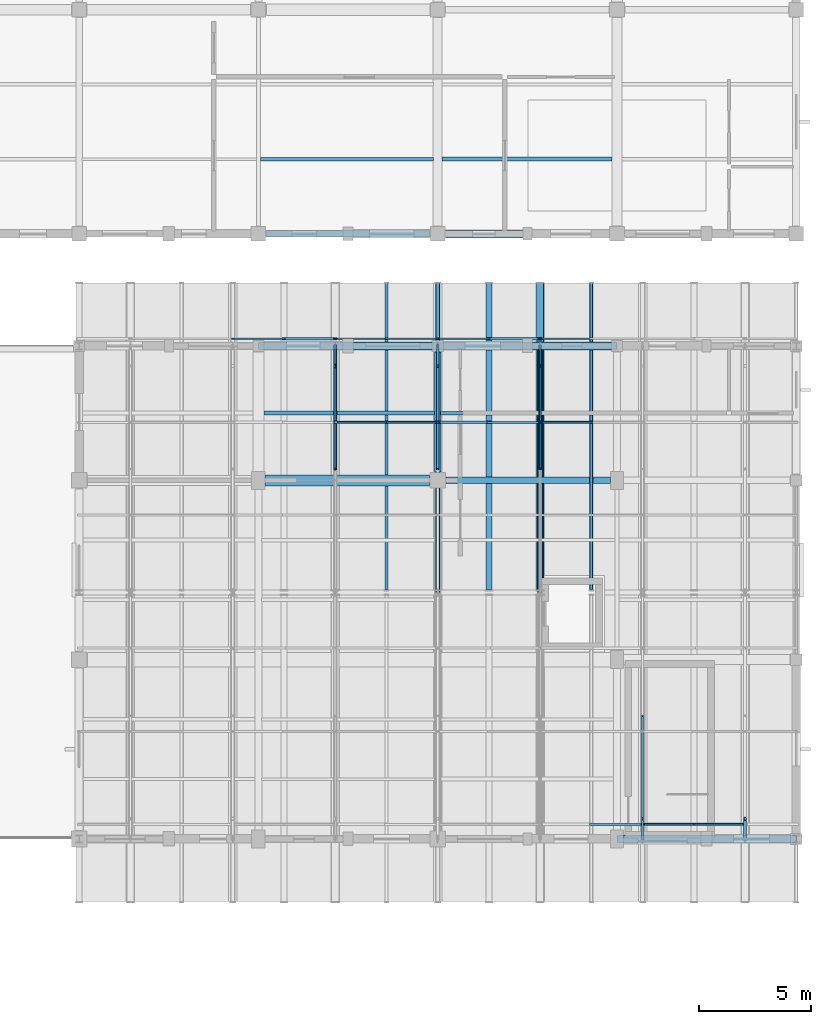
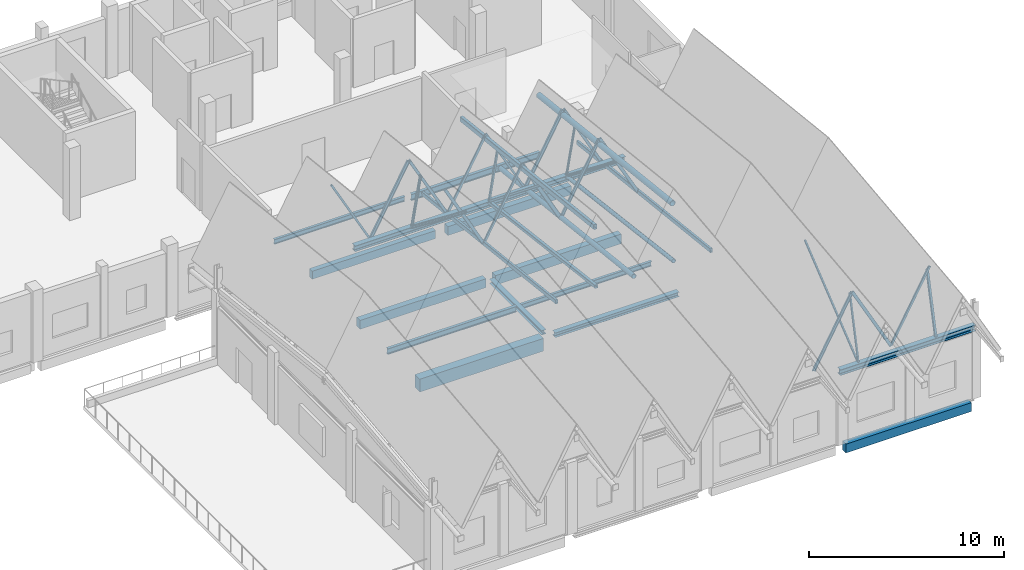
# One storey, part 20 of 48: 26 members, 20 beams.
"""IFC4 building model written with IfcOpenShell, lengths in metres."""

from ifc_helpers import new_model, si_unit, direction, frame, origin, origin_2d, place, context, subcontext, project, spatial, rectangle, hollow_rectangle, hollow_circle, i_section, extrude, material, material_profile, profile_set, type_object, element, save


model = new_model("IFC4")

# Units and contexts
model_context = context("Model", 3, precision=1e-05, world=origin(), true_north=direction((0.0, 1.0)))
body_context = subcontext(model_context, "Body", "Model", "MODEL_VIEW")
ifc_project = project(units=[si_unit("LENGTHUNIT", "METRE"), si_unit("AREAUNIT", "SQUARE_METRE"), si_unit("VOLUMEUNIT", "CUBIC_METRE"), si_unit("PLANEANGLEUNIT", "RADIAN"), si_unit("MASSUNIT", "GRAM", prefix="KILO")], contexts=[model_context])

# Site, building, storey
site_placement = place(None, origin())
site = spatial("IfcSite", under=ifc_project, at=site_placement, CompositionType="ELEMENT")
building_placement = place(site_placement, origin())
building = spatial("IfcBuilding", under=site, at=building_placement, Name="Luwemba Playhouse", CompositionType="ELEMENT")
storey_placement = place(building_placement, frame((0.0, 0.0, 13.800048828125)))
storey = spatial("IfcBuildingStorey", under=building, at=storey_placement, Name="L03", CompositionType="ELEMENT", Elevation=13.800048828125)

# Beams
ifc_material_1 = material(Name="Concrete C40/50", Category="concrete")
ifc_material_profile_1 = material_profile(ifc_material_1, rectangle(XDim=0.5, YDim=0.800048828125, at=origin_2d()))
ifc_profile_set_1 = profile_set([ifc_material_profile_1], Name="Concrete C40/50")
beam_type_1 = type_object("IfcBeamType", Name="BM-RB06", PredefinedType="BEAM", material=ifc_profile_set_1)
beam_1_placement = place(storey_placement, frame((148.300048828125, 84.0, -0.630126953125), z_axis=(1.0, 0.0, 0.0), x_axis=(0.0, 1.0, 0.0)))
element("IfcBeam", 1, at=beam_1_placement, inside=storey, type_object=beam_type_1, Name="L03 grid girder 0865", PredefinedType="BEAM", context=body_context, shape_type="SweptSolid", body=[
    extrude(rectangle(XDim=0.5, YDim=0.800048828125, at=origin_2d()), origin(), (0.0, 0.0, 1.0), 7.324951171875),
])
ifc_material_2 = material(Name="Steel S355", Category="steel")
ifc_material_profile_2 = material_profile(ifc_material_2, hollow_rectangle(XDim=0.14990234375, YDim=0.25, WallThickness=0.010009765625, InnerFilletRadius=0.014892578125, OuterFilletRadius=0.02490234375, at=origin_2d()))
ifc_profile_set_2 = profile_set([ifc_material_profile_2], Name="Steel S355")
beam_type_2 = type_object("IfcBeamType", Name="BM-RTG1", PredefinedType="USERDEFINED", material=ifc_profile_set_2)
for number, where, z_axis, x_axis, name in (
    (2, (153.71435546875, 79.110107421875, 5.536376953125), (0.0, 0.993769306798, -0.111456560446), (-1.0, 0.0, 0.0), "ROOF TRUSS valley girder 0225"),
    (3, (162.857177734375, 79.110107421875, 5.536376953125), (0.0, 0.99376734367, -0.111474062697), (-1.0, 0.0, 0.0), "ROOF TRUSS valley girder 0233"),
):
    element("IfcBeam", number, at=place(storey_placement, frame(where, z_axis=z_axis, x_axis=x_axis)), inside=storey, type_object=beam_type_2, Name=name, ObjectType="ROOF TRUSS", PredefinedType="USERDEFINED", context=body_context, shape_type="SweptSolid", body=[
        extrude(hollow_rectangle(XDim=0.14990234375, YDim=0.25, WallThickness=0.010009765625, InnerFilletRadius=0.014892578125, OuterFilletRadius=0.02490234375, at=origin_2d()), origin(), (0.0, 0.0, 1.0), 13.77587890625),
    ])
ifc_material_profile_3 = material_profile(ifc_material_2, hollow_rectangle(XDim=0.199951171875, YDim=0.300048828125, WallThickness=0.012451171875, InnerFilletRadius=0.018798828125, OuterFilletRadius=0.03125, at=origin_2d()))
ifc_profile_set_3 = profile_set([ifc_material_profile_3], Name="Steel S355")
beam_type_3 = type_object("IfcBeamType", Name="BM-RTG2", PredefinedType="USERDEFINED", material=ifc_profile_set_3)
beam_2_placement = place(storey_placement, frame((156.0, 79.110107421875, 9.412353515625), z_axis=(0.0, 0.993769306798, -0.111456560446), x_axis=(-1.0, 0.0, 0.0)))
element("IfcBeam", 4, at=beam_2_placement, inside=storey, type_object=beam_type_3, Name="ROOF TRUSS ridge girder 0227", ObjectType="ROOF TRUSS", PredefinedType="USERDEFINED", context=body_context, shape_type="SweptSolid", body=[
    extrude(hollow_rectangle(XDim=0.199951171875, YDim=0.300048828125, WallThickness=0.012451171875, InnerFilletRadius=0.018798828125, OuterFilletRadius=0.03125, at=origin_2d()), origin(), (0.0, 0.0, 1.0), 13.77587890625),
])
ifc_material_profile_4 = material_profile(ifc_material_2, hollow_circle(Radius=0.136474609375, WallThickness=0.012451171875, at=origin_2d()))
ifc_profile_set_4 = profile_set([ifc_material_profile_4], Name="Steel S355")
beam_type_4 = type_object("IfcBeamType", Name="BM-RTG3", PredefinedType="USERDEFINED", material=ifc_profile_set_4)
beam_3_placement = place(storey_placement, frame((158.28564453125, 79.110107421875, 5.52490234375), z_axis=(0.0, 0.99376734367, -0.111474062697), x_axis=(-1.0, 0.0, 0.0)))
element("IfcBeam", 5, at=beam_3_placement, inside=storey, type_object=beam_type_4, Name="ROOF TRUSS valley girder 0229", ObjectType="ROOF TRUSS", PredefinedType="USERDEFINED", context=body_context, shape_type="SweptSolid", body=[
    extrude(hollow_circle(Radius=0.136474609375, WallThickness=0.012451171875, at=origin_2d()), origin(), (0.0, 0.0, 1.0), 13.77587890625),
])
ifc_material_profile_5 = material_profile(ifc_material_2, hollow_circle(Radius=0.161865234375, WallThickness=0.01611328125, at=origin_2d()))
ifc_profile_set_5 = profile_set([ifc_material_profile_5], Name="Steel S355")
beam_type_5 = type_object("IfcBeamType", Name="BM-RTG4", PredefinedType="USERDEFINED", material=ifc_profile_set_5)
beam_4_placement = place(storey_placement, frame((160.5712890625, 79.110107421875, 9.28759765625), z_axis=(0.0, 0.993769306798, -0.111456560446), x_axis=(-1.0, 0.0, 0.0)))
element("IfcBeam", 6, at=beam_4_placement, inside=storey, type_object=beam_type_5, Name="ROOF TRUSS ridge girder 0231", ObjectType="ROOF TRUSS", PredefinedType="USERDEFINED", context=body_context, shape_type="SweptSolid", body=[
    extrude(hollow_circle(Radius=0.161865234375, WallThickness=0.01611328125, at=origin_2d()), origin(), (0.0, 0.0, 1.0), 13.77587890625),
])
ifc_material_profile_6 = material_profile(ifc_material_2, i_section(OverallWidth=0.280029296875, OverallDepth=0.27001953125, WebThickness=0.008056640625, FlangeThickness=0.012939453125, FilletRadius=0.02392578125, at=origin_2d()))
ifc_profile_set_6 = profile_set([ifc_material_profile_6], Name="Steel S355")
beam_type_6 = type_object("IfcBeamType", Name="BM-SB02", PredefinedType="BEAM", material=ifc_profile_set_6)
beam_5_placement = place(storey_placement, frame((156.0, 84.375, -0.364990234375), z_axis=(0.0, 1.0, 0.0), x_axis=(-1.0, 0.0, 0.0)))
element("IfcBeam", 7, at=beam_5_placement, inside=storey, type_object=beam_type_6, Name="L03 transverse girder 0878", PredefinedType="BEAM", context=body_context, shape_type="SweptSolid", body=[
    extrude(i_section(OverallWidth=0.280029296875, OverallDepth=0.27001953125, WebThickness=0.008056640625, FlangeThickness=0.012939453125, FilletRadius=0.02392578125, at=origin_2d()), origin(), (0.0, 0.0, 1.0), 5.35009765625),
])
ifc_material_profile_7 = material_profile(ifc_material_2, i_section(OverallWidth=0.300048828125, OverallDepth=0.2900390625, WebThickness=0.008544921875, FlangeThickness=0.013916015625, FilletRadius=0.027099609375, at=origin_2d()))
ifc_profile_set_7 = profile_set([ifc_material_profile_7], Name="Steel S355")
beam_type_7 = type_object("IfcBeamType", Name="BM-SB03", PredefinedType="BEAM", material=ifc_profile_set_7)
beam_6_placement = place(storey_placement, frame((156.375, 84.0, -0.375), z_axis=(1.0, 0.0, 0.0), x_axis=(0.0, 1.0, 0.0)))
element("IfcBeam", 8, at=beam_6_placement, inside=storey, type_object=beam_type_7, Name="L03 grid girder 0866", PredefinedType="BEAM", context=body_context, shape_type="SweptSolid", body=[
    extrude(i_section(OverallWidth=0.300048828125, OverallDepth=0.2900390625, WebThickness=0.008544921875, FlangeThickness=0.013916015625, FilletRadius=0.027099609375, at=origin_2d()), origin(), (0.0, 0.0, 1.0), 7.324951171875),
])
ifc_material_profile_8 = material_profile(ifc_material_2, i_section(OverallWidth=0.300048828125, OverallDepth=0.360107421875, WebThickness=0.012451171875, FlangeThickness=0.0224609375, FilletRadius=0.027099609375, at=origin_2d()))
ifc_profile_set_8 = profile_set([ifc_material_profile_8], Name="Steel S355")
beam_type_8 = type_object("IfcBeamType", Name="BM-SB09", PredefinedType="BEAM", material=ifc_profile_set_8)
for number, where, z_axis, x_axis, name in (
    (9, (164.0, 68.0, 4.320068359375), (1.0, 0.0, 0.0), (0.0, 1.0, 0.0), "RF-V4 eave ring beam 0198"),
    (10, (148.0, 90.0, 4.320068359375), (1.0, 0.0, 0.0), (0.0, 1.0, 0.0), "RF-V4 eave ring beam 0200"),
    (11, (156.0, 90.0, 4.320068359375), (1.0, 0.0, 0.0), (0.0, 1.0, 0.0), "RF-V4 eave ring beam 0201"),
):
    element("IfcBeam", number, at=place(storey_placement, frame(where, z_axis=z_axis, x_axis=x_axis)), inside=storey, type_object=beam_type_8, Name=name, PredefinedType="BEAM", context=body_context, shape_type="SweptSolid", body=[
        extrude(i_section(OverallWidth=0.300048828125, OverallDepth=0.360107421875, WebThickness=0.012451171875, FlangeThickness=0.0224609375, FilletRadius=0.027099609375, at=origin_2d()), origin(), (0.0, 0.0, 1.0), 8.0),
    ])
ifc_material_profile_9 = material_profile(ifc_material_2, i_section(OverallWidth=0.14990234375, OverallDepth=0.300048828125, WebThickness=0.007080078125, FlangeThickness=0.0107421875, FilletRadius=0.014892578125, at=origin_2d()))
ifc_profile_set_9 = profile_set([ifc_material_profile_9], Name="Steel S355")
beam_type_9 = type_object("IfcBeamType", Name="BM-SJ05", PredefinedType="JOIST", material=ifc_profile_set_9)
beam_7_placement = place(storey_placement, frame((156.135986328125, 87.0, -0.380126953125), z_axis=(1.0, 0.0, 0.0), x_axis=(0.0, 1.0, 0.0)))
element("IfcBeam", 12, at=beam_7_placement, inside=storey, type_object=beam_type_9, Name="L03 composite floor joist 0502", PredefinedType="JOIST", context=body_context, shape_type="SweptSolid", body=[
    extrude(i_section(OverallWidth=0.14990234375, OverallDepth=0.300048828125, WebThickness=0.007080078125, FlangeThickness=0.0107421875, FilletRadius=0.014892578125, at=origin_2d()), origin(), (0.0, 0.0, 1.0), 7.718017578125),
])
beam_8_placement = place(storey_placement, frame((148.091064453125, 98.333251953125, -0.380126953125), z_axis=(1.0, 0.0, 0.0), x_axis=(0.0, 1.0, 0.0)))
element("IfcBeam", 13, at=beam_8_placement, inside=storey, type_object=beam_type_9, Name="L03 composite floor joist 0514", PredefinedType="JOIST", context=body_context, shape_type="SweptSolid", body=[
    extrude(i_section(OverallWidth=0.14990234375, OverallDepth=0.300048828125, WebThickness=0.007080078125, FlangeThickness=0.0107421875, FilletRadius=0.014892578125, at=origin_2d()), origin(), (0.0, 0.0, 1.0), 7.712890625),
])
ifc_material_profile_10 = material_profile(ifc_material_2, i_section(OverallWidth=0.169921875, OverallDepth=0.360107421875, WebThickness=0.008056640625, FlangeThickness=0.0126953125, FilletRadius=0.01806640625, at=origin_2d()))
ifc_profile_set_10 = profile_set([ifc_material_profile_10], Name="Steel S355")
beam_type_10 = type_object("IfcBeamType", Name="BM-SJ07", PredefinedType="JOIST", material=ifc_profile_set_10)
beam_9_placement = place(storey_placement, frame((148.24609375, 87.0, -0.41015625), z_axis=(1.0, 0.0, 0.0), x_axis=(0.0, 1.0, 0.0)))
element("IfcBeam", 14, at=beam_9_placement, inside=storey, type_object=beam_type_10, Name="L03 composite floor joist 0498", PredefinedType="JOIST", context=body_context, shape_type="SweptSolid", body=[
    extrude(i_section(OverallWidth=0.169921875, OverallDepth=0.360107421875, WebThickness=0.008056640625, FlangeThickness=0.0126953125, FilletRadius=0.01806640625, at=origin_2d()), origin(), (0.0, 0.0, 1.0), 7.617919921875),
])
ifc_material_profile_11 = material_profile(ifc_material_2, i_section(OverallWidth=0.179931640625, OverallDepth=0.39990234375, WebThickness=0.008544921875, FlangeThickness=0.013427734375, FilletRadius=0.02099609375, at=origin_2d()))
ifc_profile_set_11 = profile_set([ifc_material_profile_11], Name="Steel S355")
beam_type_11 = type_object("IfcBeamType", Name="BM-SJ08", PredefinedType="JOIST", material=ifc_profile_set_11)
beam_10_placement = place(storey_placement, frame((156.196044921875, 98.333251953125, -0.429931640625), z_axis=(1.0, 0.0, 0.0), x_axis=(0.0, 1.0, 0.0)))
element("IfcBeam", 15, at=beam_10_placement, inside=storey, type_object=beam_type_11, Name="L03 composite floor joist 0517", PredefinedType="JOIST", context=body_context, shape_type="SweptSolid", body=[
    extrude(i_section(OverallWidth=0.179931640625, OverallDepth=0.39990234375, WebThickness=0.008544921875, FlangeThickness=0.013427734375, FilletRadius=0.02099609375, at=origin_2d()), origin(), (0.0, 0.0, 1.0), 7.5830078125),
])
ifc_material_profile_12 = material_profile(ifc_material_1, rectangle(XDim=0.300048828125, YDim=0.5, at=origin_2d()))
ifc_profile_set_12 = profile_set([ifc_material_profile_12], Name="Concrete C40/50")
beam_type_12 = type_object("IfcBeamType", Name="BM-SP1", PredefinedType="SPANDREL", material=ifc_profile_set_12)
beam_11_placement = place(storey_placement, frame((148.35009765625, 95.0, -0.47998046875), z_axis=(1.0, 0.0, 0.0), x_axis=(0.0, 1.0, 0.0)))
element("IfcBeam", 16, at=beam_11_placement, inside=storey, type_object=beam_type_12, Name="L03 grid girder 0888", PredefinedType="SPANDREL", context=body_context, shape_type="SweptSolid", body=[
    extrude(rectangle(XDim=0.300048828125, YDim=0.5, at=origin_2d()), origin(), (0.0, 0.0, 1.0), 7.2998046875),
])
ifc_material_profile_13 = material_profile(ifc_material_1, rectangle(XDim=0.35009765625, YDim=0.550048828125, at=origin_2d()))
ifc_profile_set_13 = profile_set([ifc_material_profile_13], Name="Concrete C40/50")
beam_type_13 = type_object("IfcBeamType", Name="BM-SP2", PredefinedType="SPANDREL", material=ifc_profile_set_13)
beam_12_placement = place(storey_placement, frame((164.300048828125, 68.0, -0.505126953125), z_axis=(1.0, 0.0, 0.0), x_axis=(0.0, 1.0, 0.0)))
element("IfcBeam", 17, at=beam_12_placement, inside=storey, type_object=beam_type_13, Name="L03 grid girder 0861", PredefinedType="SPANDREL", context=body_context, shape_type="SweptSolid", body=[
    extrude(rectangle(XDim=0.35009765625, YDim=0.550048828125, at=origin_2d()), origin(), (0.0, 0.0, 1.0), 7.425048828125),
])
beam_13_placement = place(storey_placement, frame((148.27490234375, 90.0, -0.505126953125), z_axis=(1.0, 0.0, 0.0), x_axis=(0.0, 1.0, 0.0)))
element("IfcBeam", 18, at=beam_13_placement, inside=storey, type_object=beam_type_13, Name="L03 grid girder 0869", PredefinedType="SPANDREL", context=body_context, shape_type="SweptSolid", body=[
    extrude(rectangle(XDim=0.35009765625, YDim=0.550048828125, at=origin_2d()), origin(), (0.0, 0.0, 1.0), 7.4501953125),
])
beam_14_placement = place(storey_placement, frame((156.35009765625, 95.0, -0.505126953125), z_axis=(1.0, 0.0, 0.0), x_axis=(0.0, 1.0, 0.0)))
element("IfcBeam", 19, at=beam_14_placement, inside=storey, type_object=beam_type_13, Name="L03 grid girder 0889", PredefinedType="SPANDREL", context=body_context, shape_type="SweptSolid", body=[
    extrude(rectangle(XDim=0.35009765625, YDim=0.550048828125, at=origin_2d()), origin(), (0.0, 0.0, 1.0), 7.2998046875),
])
ifc_material_profile_14 = material_profile(ifc_material_1, rectangle(XDim=0.35009765625, YDim=0.60009765625, at=origin_2d()))
ifc_profile_set_14 = profile_set([ifc_material_profile_14], Name="Concrete C40/50")
beam_type_14 = type_object("IfcBeamType", Name="BM-SP3", PredefinedType="SPANDREL", material=ifc_profile_set_14)
beam_15_placement = place(storey_placement, frame((156.27490234375, 90.0, -0.530029296875), z_axis=(1.0, 0.0, 0.0), x_axis=(0.0, 1.0, 0.0)))
element("IfcBeam", 20, at=beam_15_placement, inside=storey, type_object=beam_type_14, Name="L03 grid girder 0870", PredefinedType="SPANDREL", context=body_context, shape_type="SweptSolid", body=[
    extrude(rectangle(XDim=0.35009765625, YDim=0.60009765625, at=origin_2d()), origin(), (0.0, 0.0, 1.0), 7.4501953125),
])

# Members
ifc_material_profile_15 = material_profile(ifc_material_2, hollow_circle(Radius=0.06982421875, WallThickness=0.008056640625, at=origin_2d()))
ifc_profile_set_15 = profile_set([ifc_material_profile_15], Name="Steel S355")
member_type_1 = type_object("IfcMemberType", Name="MEM-MB01", PredefinedType="BRACE", material=ifc_profile_set_15)
member_1_placement = place(storey_placement, frame((160.5712890625, 90.0, 4.39990234375), z_axis=(0.0, -0.788974908765, 0.614425417231), x_axis=(1.0, 0.0, 0.0)))
element("IfcMember", 21, at=member_1_placement, inside=storey, type_object=member_type_1, Name="ROOF TRUSS web diagonal 0210", PredefinedType="BRACE", context=body_context, shape_type="SweptSolid", body=[
    extrude(hollow_circle(Radius=0.06982421875, WallThickness=0.008056640625, at=origin_2d()), origin(), (0.0, 0.0, 1.0), 6.97119140625),
])
member_2_placement = place(storey_placement, frame((160.5712890625, 90.0, 4.39990234375), z_axis=(0.0, -0.2323334223, 0.972636201713), x_axis=(1.0, 0.0, 0.0)))
element("IfcMember", 22, at=member_2_placement, inside=storey, type_object=member_type_1, Name="ROOF TRUSS eave knee strut 0053", PredefinedType="BRACE", context=body_context, shape_type="SweptSolid", body=[
    extrude(hollow_circle(Radius=0.06982421875, WallThickness=0.008056640625, at=origin_2d()), origin(), (0.0, 0.0, 1.0), 3.873291015625),
])
ifc_material_profile_16 = material_profile(ifc_material_2, hollow_circle(Radius=0.084228515625, WallThickness=0.008056640625, at=origin_2d()))
ifc_profile_set_16 = profile_set([ifc_material_profile_16], Name="Steel S355")
member_type_2 = type_object("IfcMemberType", Name="MEM-MB02", PredefinedType="BRACE", material=ifc_profile_set_16)
member_3_placement = place(storey_placement, frame((151.4287109375, 90.0, 4.39990234375), z_axis=(0.0, -0.788991886297, 0.614403616003), x_axis=(1.0, 0.0, 0.0)))
element("IfcMember", 23, at=member_3_placement, inside=storey, type_object=member_type_2, Name="ROOF TRUSS web diagonal 0198", PredefinedType="BRACE", context=body_context, shape_type="SweptSolid", body=[
    extrude(hollow_circle(Radius=0.084228515625, WallThickness=0.008056640625, at=origin_2d()), origin(), (0.0, 0.0, 1.0), 6.970947265625),
])
member_4_placement = place(storey_placement, frame((151.4287109375, 90.0, 4.39990234375), z_axis=(0.0, -0.232347666706, 0.972632799044), x_axis=(1.0, 0.0, 0.0)))
element("IfcMember", 24, at=member_4_placement, inside=storey, type_object=member_type_2, Name="ROOF TRUSS eave knee strut 0049", PredefinedType="BRACE", context=body_context, shape_type="SweptSolid", body=[
    extrude(hollow_circle(Radius=0.084228515625, WallThickness=0.008056640625, at=origin_2d()), origin(), (0.0, 0.0, 1.0), 3.873046875),
])
ifc_material_profile_17 = material_profile(ifc_material_2, hollow_rectangle(XDim=0.10009765625, YDim=0.10009765625, WallThickness=0.00634765625, InnerFilletRadius=0.009521484375, OuterFilletRadius=0.015869140625, at=origin_2d()))
ifc_profile_set_17 = profile_set([ifc_material_profile_17], Name="Steel S355")
member_type_3 = type_object("IfcMemberType", Name="MEM-MB05", PredefinedType="BRACE", material=ifc_profile_set_17)
member_5_placement = place(storey_placement, frame((165.142822265625, 68.0, 4.39990234375), z_axis=(0.0, 0.780317682275, 0.625383334227), x_axis=(-1.0, 0.0, 0.0)))
element("IfcMember", 25, at=member_5_placement, inside=storey, type_object=member_type_3, Name="ROOF TRUSS web diagonal 0213", PredefinedType="BRACE", context=body_context, shape_type="SweptSolid", body=[
    extrude(hollow_rectangle(XDim=0.10009765625, YDim=0.10009765625, WallThickness=0.00634765625, InnerFilletRadius=0.009521484375, OuterFilletRadius=0.015869140625, at=origin_2d()), origin(), (0.0, 0.0, 1.0), 7.04833984375),
])
member_6_placement = place(storey_placement, frame((165.142822265625, 68.0, 4.39990234375), z_axis=(0.0, 0.225283539327, 0.974293244823), x_axis=(-1.0, 0.0, 0.0)))
element("IfcMember", 26, at=member_6_placement, inside=storey, type_object=member_type_3, Name="ROOF TRUSS eave knee strut 0054", PredefinedType="BRACE", context=body_context, shape_type="SweptSolid", body=[
    extrude(hollow_rectangle(XDim=0.10009765625, YDim=0.10009765625, WallThickness=0.00634765625, InnerFilletRadius=0.009521484375, OuterFilletRadius=0.015869140625, at=origin_2d()), origin(), (0.0, 0.0, 1.0), 3.99462890625),
])
ifc_material_profile_18 = material_profile(ifc_material_2, hollow_rectangle(XDim=0.1201171875, YDim=0.1201171875, WallThickness=0.008056640625, InnerFilletRadius=0.011962890625, OuterFilletRadius=0.02001953125, at=origin_2d()))
ifc_profile_set_18 = profile_set([ifc_material_profile_18], Name="Steel S355")
member_type_4 = type_object("IfcMemberType", Name="MEM-MB06", PredefinedType="BRACE", material=ifc_profile_set_18)
member_7_placement = place(storey_placement, frame((156.0, 90.0, 4.39990234375), z_axis=(0.0, -0.780317682275, 0.625383334227), x_axis=(1.0, 0.0, 0.0)))
element("IfcMember", 27, at=member_7_placement, inside=storey, type_object=member_type_4, Name="ROOF TRUSS web diagonal 0204", PredefinedType="BRACE", context=body_context, shape_type="SweptSolid", body=[
    extrude(hollow_rectangle(XDim=0.1201171875, YDim=0.1201171875, WallThickness=0.008056640625, InnerFilletRadius=0.011962890625, OuterFilletRadius=0.02001953125, at=origin_2d()), origin(), (0.0, 0.0, 1.0), 7.04833984375),
])
member_8_placement = place(storey_placement, frame((156.0, 90.0, 4.39990234375), z_axis=(0.0, -0.225270125024, 0.974296346484), x_axis=(1.0, 0.0, 0.0)))
element("IfcMember", 28, at=member_8_placement, inside=storey, type_object=member_type_4, Name="ROOF TRUSS eave knee strut 0051", PredefinedType="BRACE", context=body_context, shape_type="SweptSolid", body=[
    extrude(hollow_rectangle(XDim=0.1201171875, YDim=0.1201171875, WallThickness=0.008056640625, InnerFilletRadius=0.011962890625, OuterFilletRadius=0.02001953125, at=origin_2d()), origin(), (0.0, 0.0, 1.0), 3.994873046875),
])
ifc_material_profile_19 = material_profile(ifc_material_2, hollow_rectangle(XDim=0.139892578125, YDim=0.139892578125, WallThickness=0.008056640625, InnerFilletRadius=0.011962890625, OuterFilletRadius=0.02001953125, at=origin_2d()))
ifc_profile_set_19 = profile_set([ifc_material_profile_19], Name="Steel S355")
member_type_5 = type_object("IfcMemberType", Name="MEM-MB07", PredefinedType="BRACE", material=ifc_profile_set_19)
member_9_placement = place(storey_placement, frame((169.71435546875, 68.0, 4.39990234375), z_axis=(0.0, 0.232347666706, 0.972632799044), x_axis=(-1.0, 0.0, 0.0)))
element("IfcMember", 29, at=member_9_placement, inside=storey, type_object=member_type_5, Name="ROOF TRUSS eave knee strut 0056", PredefinedType="BRACE", context=body_context, shape_type="SweptSolid", body=[
    extrude(hollow_rectangle(XDim=0.139892578125, YDim=0.139892578125, WallThickness=0.008056640625, InnerFilletRadius=0.011962890625, OuterFilletRadius=0.02001953125, at=origin_2d()), origin(), (0.0, 0.0, 1.0), 3.873046875),
])
ifc_material_profile_20 = material_profile(ifc_material_2, hollow_circle(Radius=0.122314453125, WallThickness=0.012451171875, at=origin_2d()))
ifc_profile_set_20 = profile_set([ifc_material_profile_20], Name="Steel S355")
member_type_6 = type_object("IfcMemberType", Name="MEM-MC01", PredefinedType="CHORD", material=ifc_profile_set_20)
member_10_placement = place(storey_placement, frame((160.5712890625, 79.0, 5.753662109375), z_axis=(0.0, 0.992511955912, -0.122147522983), x_axis=(-1.0, 0.0, 0.0)))
element("IfcMember", 30, at=member_10_placement, inside=storey, type_object=member_type_6, Name="ROOF TRUSS north bottom chord 0206", PredefinedType="CHORD", context=body_context, shape_type="SweptSolid", body=[
    extrude(hollow_circle(Radius=0.122314453125, WallThickness=0.012451171875, at=origin_2d()), origin(), (0.0, 0.0, 1.0), 11.0830078125),
])
ifc_material_profile_21 = material_profile(ifc_material_2, hollow_rectangle(XDim=0.199951171875, YDim=0.199951171875, WallThickness=0.012451171875, InnerFilletRadius=0.018798828125, OuterFilletRadius=0.03125, at=origin_2d()))
ifc_profile_set_21 = profile_set([ifc_material_profile_21], Name="Steel S355")
member_type_7 = type_object("IfcMemberType", Name="MEM-MC04", PredefinedType="CHORD", material=ifc_profile_set_21)
member_11_placement = place(storey_placement, frame((156.0, 79.0, 5.753662109375), z_axis=(0.0, 0.992511955912, -0.122147522983), x_axis=(-1.0, 0.0, 0.0)))
element("IfcMember", 31, at=member_11_placement, inside=storey, type_object=member_type_7, Name="ROOF TRUSS north bottom chord 0200", PredefinedType="CHORD", context=body_context, shape_type="SweptSolid", body=[
    extrude(hollow_rectangle(XDim=0.199951171875, YDim=0.199951171875, WallThickness=0.012451171875, InnerFilletRadius=0.018798828125, OuterFilletRadius=0.03125, at=origin_2d()), origin(), (0.0, 0.0, 1.0), 11.0830078125),
])
ifc_material_profile_22 = material_profile(ifc_material_2, hollow_rectangle(XDim=0.080078125, YDim=0.1201171875, WallThickness=0.00634765625, InnerFilletRadius=0.009521484375, OuterFilletRadius=0.015869140625, at=origin_2d()))
ifc_profile_set_22 = profile_set([ifc_material_profile_22], Name="Steel S355")
member_type_8 = type_object("IfcMemberType", Name="MEM-MP01", PredefinedType="PURLIN", material=ifc_profile_set_22)
for number, where, z_axis, x_axis, name in (
    (32, (146.857177734375, 90.31591796875, 8.44287109375), (0.480981676724, 0.0, -0.876730646582), (0.0, 1.0, 0.0), "Pleated roof purlin 0384"),
    (33, (156.0, 90.31591796875, 8.44287109375), (0.480981676724, 0.0, -0.876730646582), (0.0, 1.0, 0.0), "Pleated roof purlin 0408"),
):
    element("IfcMember", number, at=place(storey_placement, frame(where, z_axis=z_axis, x_axis=x_axis)), inside=storey, type_object=member_type_8, Name=name, PredefinedType="PURLIN", context=body_context, shape_type="SweptSolid", body=[
        extrude(hollow_rectangle(XDim=0.080078125, YDim=0.1201171875, WallThickness=0.00634765625, InnerFilletRadius=0.009521484375, OuterFilletRadius=0.015869140625, at=origin_2d()), origin(), (0.0, 0.0, 1.0), 4.751953125),
    ])
ifc_material_profile_23 = material_profile(ifc_material_2, hollow_rectangle(XDim=0.10009765625, YDim=0.14990234375, WallThickness=0.008056640625, InnerFilletRadius=0.011962890625, OuterFilletRadius=0.02001953125, at=origin_2d()))
ifc_profile_set_23 = profile_set([ifc_material_profile_23], Name="Steel S355")
member_type_9 = type_object("IfcMemberType", Name="MEM-MP02", PredefinedType="PURLIN", material=ifc_profile_set_23)
member_12_placement = place(storey_placement, frame((153.71435546875, 86.590087890625, 4.661376953125), z_axis=(0.48100334235, 0.0, 0.876718760292), x_axis=(0.0, 1.0, 0.0)))
element("IfcMember", 34, at=member_12_placement, inside=storey, type_object=member_type_9, Name="Pleated roof purlin 0401", PredefinedType="PURLIN", context=body_context, shape_type="SweptSolid", body=[
    extrude(hollow_rectangle(XDim=0.10009765625, YDim=0.14990234375, WallThickness=0.008056640625, InnerFilletRadius=0.011962890625, OuterFilletRadius=0.02001953125, at=origin_2d()), origin(), (0.0, 0.0, 1.0), 4.751708984375),
])
member_13_placement = place(storey_placement, frame((167.4287109375, 68.64990234375, 4.351806640625), z_axis=(0.480981676724, 0.0, 0.876730646582), x_axis=(0.0, 1.0, 0.0)))
element("IfcMember", 35, at=member_13_placement, inside=storey, type_object=member_type_9, Name="Pleated roof purlin 0433", PredefinedType="PURLIN", context=body_context, shape_type="SweptSolid", body=[
    extrude(hollow_rectangle(XDim=0.10009765625, YDim=0.14990234375, WallThickness=0.008056640625, InnerFilletRadius=0.011962890625, OuterFilletRadius=0.02001953125, at=origin_2d()), origin(), (0.0, 0.0, 1.0), 4.751953125),
])
ifc_material_profile_24 = material_profile(ifc_material_2, hollow_rectangle(XDim=0.080078125, YDim=0.159912109375, WallThickness=0.00634765625, InnerFilletRadius=0.009521484375, OuterFilletRadius=0.015869140625, at=origin_2d()))
ifc_profile_set_24 = profile_set([ifc_material_profile_24], Name="Steel S355")
member_type_10 = type_object("IfcMemberType", Name="MEM-MP03", PredefinedType="PURLIN", material=ifc_profile_set_24)
member_14_placement = place(storey_placement, frame((153.71435546875, 90.31591796875, 4.256591796875), z_axis=(0.480981676724, 0.0, 0.876730646582), x_axis=(0.0, 1.0, 0.0)))
element("IfcMember", 36, at=member_14_placement, inside=storey, type_object=member_type_10, Name="Pleated roof purlin 0402", PredefinedType="PURLIN", context=body_context, shape_type="SweptSolid", body=[
    extrude(hollow_rectangle(XDim=0.080078125, YDim=0.159912109375, WallThickness=0.00634765625, InnerFilletRadius=0.009521484375, OuterFilletRadius=0.015869140625, at=origin_2d()), origin(), (0.0, 0.0, 1.0), 4.751953125),
])
ifc_material_profile_25 = material_profile(ifc_material_2, hollow_rectangle(XDim=0.10009765625, YDim=0.179931640625, WallThickness=0.008056640625, InnerFilletRadius=0.011962890625, OuterFilletRadius=0.02001953125, at=origin_2d()))
ifc_profile_set_25 = profile_set([ifc_material_profile_25], Name="Steel S355")
member_type_11 = type_object("IfcMemberType", Name="MEM-MP04", PredefinedType="PURLIN", material=ifc_profile_set_25)
member_15_placement = place(storey_placement, frame((151.4287109375, 86.590087890625, 8.8125), z_axis=(0.480981676724, 0.0, -0.876730646582), x_axis=(0.0, 1.0, 0.0)))
element("IfcMember", 37, at=member_15_placement, inside=storey, type_object=member_type_11, Name="Pleated roof purlin 0395", PredefinedType="PURLIN", context=body_context, shape_type="SweptSolid", body=[
    extrude(hollow_rectangle(XDim=0.10009765625, YDim=0.179931640625, WallThickness=0.008056640625, InnerFilletRadius=0.011962890625, OuterFilletRadius=0.02001953125, at=origin_2d()), origin(), (0.0, 0.0, 1.0), 4.751953125),
])
for number, where, z_axis, x_axis, name in (
    (38, (160.5712890625, 86.590087890625, 8.8125), (0.481021165728, 0.0, -0.876708981431), (0.0, 1.0, 0.0), "Pleated roof purlin 0419"),
    (39, (165.142822265625, 68.64990234375, 8.5029296875), (0.481021165728, 0.0, -0.876708981431), (0.0, 1.0, 0.0), "Pleated roof purlin 0427"),
):
    element("IfcMember", number, at=place(storey_placement, frame(where, z_axis=z_axis, x_axis=x_axis)), inside=storey, type_object=member_type_11, Name=name, PredefinedType="PURLIN", context=body_context, shape_type="SweptSolid", body=[
        extrude(hollow_rectangle(XDim=0.10009765625, YDim=0.179931640625, WallThickness=0.008056640625, InnerFilletRadius=0.011962890625, OuterFilletRadius=0.02001953125, at=origin_2d()), origin(), (0.0, 0.0, 1.0), 4.752197265625),
    ])
ifc_material_profile_26 = material_profile(ifc_material_2, i_section(OverallWidth=0.08203125, OverallDepth=0.159912109375, WebThickness=0.0048828125, FlangeThickness=0.00732421875, FilletRadius=0.009033203125, at=origin_2d()))
ifc_profile_set_26 = profile_set([ifc_material_profile_26], Name="Steel S355")
member_type_12 = type_object("IfcMemberType", Name="MEM-MP05", PredefinedType="PURLIN", material=ifc_profile_set_26)
member_16_placement = place(storey_placement, frame((151.4287109375, 90.31591796875, 8.4208984375), z_axis=(0.480981676724, 0.0, -0.876730646582), x_axis=(0.0, 1.0, 0.0)))
element("IfcMember", 40, at=member_16_placement, inside=storey, type_object=member_type_12, Name="Pleated roof purlin 0396", PredefinedType="PURLIN", context=body_context, shape_type="SweptSolid", body=[
    extrude(i_section(OverallWidth=0.08203125, OverallDepth=0.159912109375, WebThickness=0.0048828125, FlangeThickness=0.00732421875, FilletRadius=0.009033203125, at=origin_2d()), origin(), (0.0, 0.0, 1.0), 4.751953125),
])
member_17_placement = place(storey_placement, frame((160.5712890625, 90.31591796875, 8.421142578125), z_axis=(0.481021165728, 0.0, -0.876708981431), x_axis=(0.0, 1.0, 0.0)))
element("IfcMember", 41, at=member_17_placement, inside=storey, type_object=member_type_12, Name="Pleated roof purlin 0420", PredefinedType="PURLIN", context=body_context, shape_type="SweptSolid", body=[
    extrude(i_section(OverallWidth=0.08203125, OverallDepth=0.159912109375, WebThickness=0.0048828125, FlangeThickness=0.00732421875, FilletRadius=0.009033203125, at=origin_2d()), origin(), (0.0, 0.0, 1.0), 4.752197265625),
])
ifc_material_profile_27 = material_profile(ifc_material_2, i_section(OverallWidth=0.091064453125, OverallDepth=0.179931640625, WebThickness=0.00537109375, FlangeThickness=0.008056640625, FilletRadius=0.009033203125, at=origin_2d()))
ifc_profile_set_27 = profile_set([ifc_material_profile_27], Name="Steel S355")
member_type_13 = type_object("IfcMemberType", Name="MEM-MP06", PredefinedType="PURLIN", material=ifc_profile_set_27)
member_18_placement = place(storey_placement, frame((158.28564453125, 86.590087890625, 4.654541015625), z_axis=(0.48100334235, 0.0, 0.876718760292), x_axis=(0.0, 1.0, 0.0)))
element("IfcMember", 42, at=member_18_placement, inside=storey, type_object=member_type_13, Name="Pleated roof purlin 0413", PredefinedType="PURLIN", context=body_context, shape_type="SweptSolid", body=[
    extrude(i_section(OverallWidth=0.091064453125, OverallDepth=0.179931640625, WebThickness=0.00537109375, FlangeThickness=0.008056640625, FilletRadius=0.009033203125, at=origin_2d()), origin(), (0.0, 0.0, 1.0), 4.751708984375),
])
member_19_placement = place(storey_placement, frame((162.857177734375, 68.64990234375, 4.344970703125), z_axis=(0.480981676724, 0.0, 0.876730646582), x_axis=(0.0, 1.0, 0.0)))
element("IfcMember", 43, at=member_19_placement, inside=storey, type_object=member_type_13, Name="Pleated roof purlin 0421", PredefinedType="PURLIN", context=body_context, shape_type="SweptSolid", body=[
    extrude(i_section(OverallWidth=0.091064453125, OverallDepth=0.179931640625, WebThickness=0.00537109375, FlangeThickness=0.008056640625, FilletRadius=0.009033203125, at=origin_2d()), origin(), (0.0, 0.0, 1.0), 4.751953125),
])
ifc_material_profile_28 = material_profile(ifc_material_2, i_section(OverallWidth=0.10009765625, OverallDepth=0.199951171875, WebThickness=0.005615234375, FlangeThickness=0.008544921875, FilletRadius=0.011962890625, at=origin_2d()))
ifc_profile_set_28 = profile_set([ifc_material_profile_28], Name="Steel S355")
member_type_14 = type_object("IfcMemberType", Name="MEM-MP07", PredefinedType="PURLIN", material=ifc_profile_set_28)
member_20_placement = place(storey_placement, frame((149.142822265625, 90.31591796875, 4.218505859375), z_axis=(0.481021165728, 0.0, 0.876708981431), x_axis=(0.0, 1.0, 0.0)))
element("IfcMember", 44, at=member_20_placement, inside=storey, type_object=member_type_14, Name="Pleated roof purlin 0390", PredefinedType="PURLIN", context=body_context, shape_type="SweptSolid", body=[
    extrude(i_section(OverallWidth=0.10009765625, OverallDepth=0.199951171875, WebThickness=0.005615234375, FlangeThickness=0.008544921875, FilletRadius=0.011962890625, at=origin_2d()), origin(), (0.0, 0.0, 1.0), 4.752197265625),
])
member_21_placement = place(storey_placement, frame((158.28564453125, 90.31591796875, 4.21826171875), z_axis=(0.480981676724, 0.0, 0.876730646582), x_axis=(0.0, 1.0, 0.0)))
element("IfcMember", 45, at=member_21_placement, inside=storey, type_object=member_type_14, Name="Pleated roof purlin 0414", PredefinedType="PURLIN", context=body_context, shape_type="SweptSolid", body=[
    extrude(i_section(OverallWidth=0.10009765625, OverallDepth=0.199951171875, WebThickness=0.005615234375, FlangeThickness=0.008544921875, FilletRadius=0.011962890625, at=origin_2d()), origin(), (0.0, 0.0, 1.0), 4.751953125),
])
ifc_material_profile_29 = material_profile(ifc_material_2, i_section(OverallWidth=0.110107421875, OverallDepth=0.219970703125, WebThickness=0.005859375, FlangeThickness=0.00927734375, FilletRadius=0.011962890625, at=origin_2d()))
ifc_profile_set_29 = profile_set([ifc_material_profile_29], Name="Steel S355")
member_type_15 = type_object("IfcMemberType", Name="MEM-MP08", PredefinedType="PURLIN", material=ifc_profile_set_29)
member_22_placement = place(storey_placement, frame((156.0, 86.590087890625, 8.783447265625), z_axis=(0.480981676724, 0.0, -0.876730646582), x_axis=(0.0, 1.0, 0.0)))
element("IfcMember", 46, at=member_22_placement, inside=storey, type_object=member_type_15, Name="Pleated roof purlin 0407", PredefinedType="PURLIN", context=body_context, shape_type="SweptSolid", body=[
    extrude(i_section(OverallWidth=0.110107421875, OverallDepth=0.219970703125, WebThickness=0.005859375, FlangeThickness=0.00927734375, FilletRadius=0.011962890625, at=origin_2d()), origin(), (0.0, 0.0, 1.0), 4.751953125),
])

save(model, "model.ifc")
